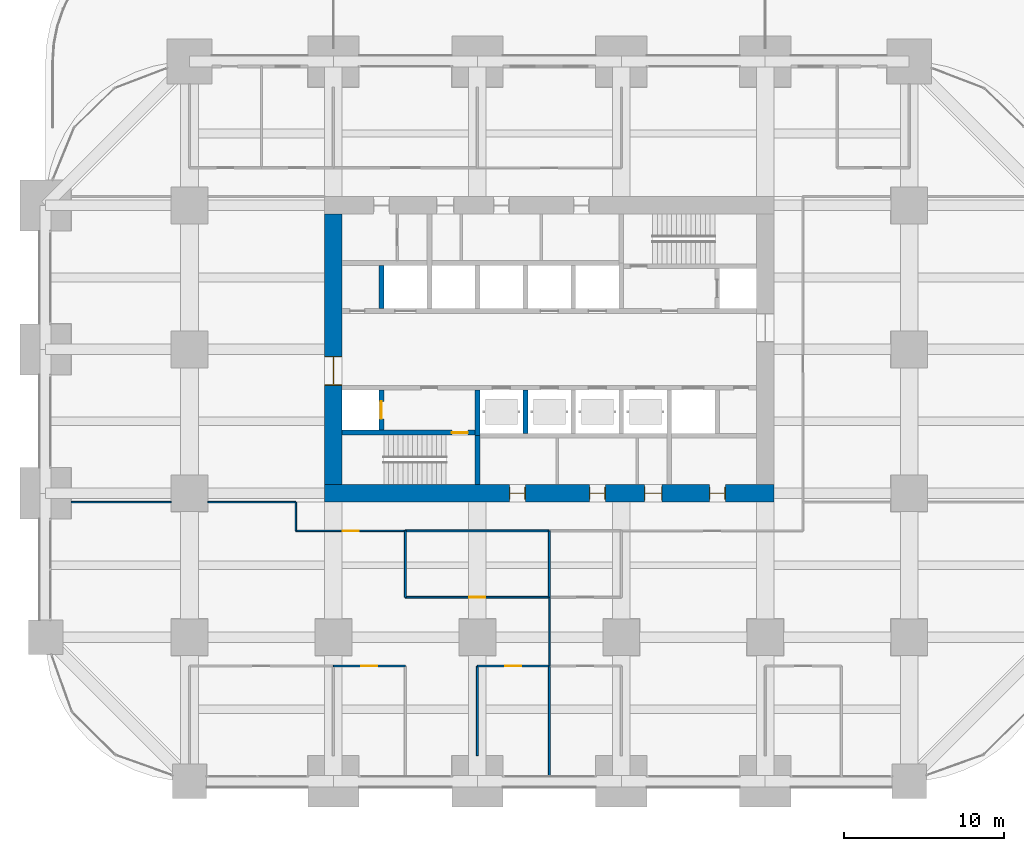
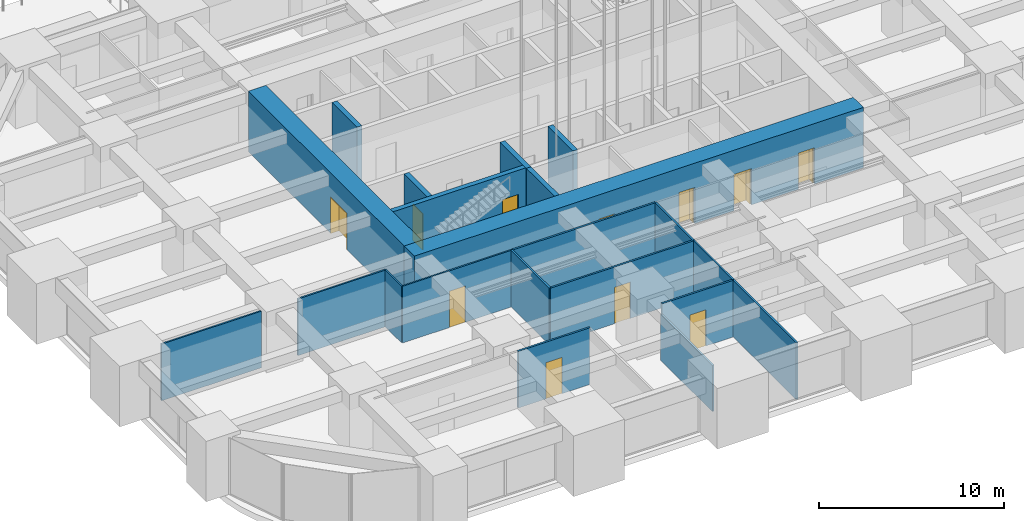
# One storey, part 36 of 50: 21 walls, 11 doors, 11 openings.
"""IFC4 building model written with IfcOpenShell, lengths in metres."""

from ifc_helpers import new_model, si_unit, direction, frame, frame_2d, origin, place, context, subcontext, project, spatial, rectangle, extrude, material, layer, layer_set, type_object, element, fill, save


model = new_model("IFC4")

# Units and contexts
model_context = context("Model", 3, precision=1e-05, world=origin(), true_north=direction((0.0, 1.0)))
body_context = subcontext(model_context, "Body", "Model", "MODEL_VIEW")
ifc_project = project(units=[si_unit("LENGTHUNIT", "METRE"), si_unit("AREAUNIT", "SQUARE_METRE"), si_unit("VOLUMEUNIT", "CUBIC_METRE"), si_unit("PLANEANGLEUNIT", "RADIAN"), si_unit("MASSUNIT", "GRAM", prefix="KILO")], contexts=[model_context])

# Site, building, storey
site_placement = place(None, origin())
site = spatial("IfcSite", under=ifc_project, at=site_placement, CompositionType="ELEMENT")
building_placement = place(site_placement, origin())
building = spatial("IfcBuilding", under=site, at=building_placement, Name="Zorevar Civic Tower", CompositionType="ELEMENT")
storey_placement = place(building_placement, frame((0.0, 0.0, 85.0)))
storey = spatial("IfcBuildingStorey", under=building, at=storey_placement, Name="L20", CompositionType="ELEMENT", Elevation=85.0)

# Wall, openings, doors
ifc_material_1 = material(Name="Concrete C50/60", Category="concrete")
ifc_layer_1 = layer(ifc_material_1, 1.10009765625)
ifc_layer_set_1 = layer_set([ifc_layer_1], Name="Core wall 1100")
wall_type_1 = type_object("IfcWallType", Name="Core wall 1100", PredefinedType="SHEAR", material=ifc_layer_set_1)
wall_1_placement = place(storey_placement, frame((17.449951171875, 18.0, 0.0), z_axis=(0.0, 0.0, 1.0), x_axis=(1.0, 0.0, 0.0)))
wall_1 = element("IfcWall", 1, at=wall_1_placement, inside=storey, type_object=wall_type_1, Name="Core wall S L20", PredefinedType="SHEAR", context=body_context, shape_type="SweptSolid", body=[
    extrude(rectangle(XDim=28.10009765625, YDim=1.10009765625, at=frame_2d((14.050048828125, 0.0))), origin(), (0.0, 0.0, 1.0), 4.0),
])
opening_1_placement = place(wall_1_placement, frame((11.550048828125, 0.0, 0.0)))
opening_1 = element("IfcOpeningElement", 2, at=opening_1_placement, cuts=wall_1, Name="Opening L20.03", PredefinedType="OPENING", context=body_context, shape_type="SweptSolid", body=[
    extrude(rectangle(XDim=1.0, YDim=2.39990234375, at=frame_2d((0.5, 1.199951171875))), frame((0.0, 0.56005859375, 0.0), z_axis=(0.0, -1.0, 0.0), x_axis=(1.0, 0.0, 0.0)), (0.0, 0.0, 1.0), 1.1201171875),
])
opening_2_placement = place(wall_1_placement, frame((16.550048828125, 0.0, 0.0)))
opening_2 = element("IfcOpeningElement", 3, at=opening_2_placement, cuts=wall_1, Name="Opening L20.04", PredefinedType="OPENING", context=body_context, shape_type="SweptSolid", body=[
    extrude(rectangle(XDim=1.0, YDim=2.39990234375, at=frame_2d((0.5, 1.199951171875))), frame((0.0, 0.56005859375, 0.0), z_axis=(0.0, -1.0, 0.0), x_axis=(1.0, 0.0, 0.0)), (0.0, 0.0, 1.0), 1.1201171875),
])
opening_3_placement = place(wall_1_placement, frame((20.0, 0.0, 0.0)))
opening_3 = element("IfcOpeningElement", 4, at=opening_3_placement, cuts=wall_1, Name="Opening L20.05", PredefinedType="OPENING", context=body_context, shape_type="SweptSolid", body=[
    extrude(rectangle(XDim=1.10009765625, YDim=2.39990234375, at=frame_2d((0.550048828125, 1.199951171875))), frame((0.0, 0.56005859375, 0.0), z_axis=(0.0, -1.0, 0.0), x_axis=(1.0, 0.0, 0.0)), (0.0, 0.0, 1.0), 1.1201171875),
])
opening_4_placement = place(wall_1_placement, frame((24.050048828125, 0.0, 0.0)))
opening_4 = element("IfcOpeningElement", 5, at=opening_4_placement, cuts=wall_1, Name="Opening L20.06", PredefinedType="OPENING", context=body_context, shape_type="SweptSolid", body=[
    extrude(rectangle(XDim=1.0, YDim=2.39990234375, at=frame_2d((0.5, 1.199951171875))), frame((0.0, 0.56005859375, 0.0), z_axis=(0.0, -1.0, 0.0), x_axis=(1.0, 0.0, 0.0)), (0.0, 0.0, 1.0), 1.1201171875),
])
ifc_material_2 = material(Name="Timber door set", Category="wood")
door_type_1 = type_object("IfcDoorType", Name="Door D1 1000x2400", OperationType="SINGLE_SWING_LEFT", PredefinedType="DOOR", material=ifc_material_2)
door_1_placement = place(opening_1_placement, origin())
door_1 = element("IfcDoor", 6, at=door_1_placement, inside=storey, type_object=door_type_1, Name="Door L20 02", OperationType="SINGLE_SWING_RIGHT", OverallHeight=2.39990234375, OverallWidth=1.0, PredefinedType="DOOR", context=body_context, shape_type="SweptSolid", body=[
    extrude(rectangle(XDim=1.0, YDim=2.39990234375, at=frame_2d((0.5, 1.199951171875))), frame((0.0, 0.02490234375, 0.0), z_axis=(0.0, -1.0, 0.0), x_axis=(1.0, 0.0, 0.0)), (0.0, 0.0, 1.0), 0.050048828125),
    extrude(rectangle(XDim=0.04, YDim=2.39990234375, at=frame_2d((0.02001953125, 1.199951171875))), frame((0.0, 0.39990234375, 0.0), z_axis=(0.0, -1.0, 0.0), x_axis=(1.0, 0.0, 0.0)), (0.0, 0.0, 1.0), 0.800048828125),
    extrude(rectangle(XDim=0.04, YDim=2.39990234375, at=frame_2d((0.97998046875, 1.199951171875))), frame((0.0, 0.39990234375, 0.0), z_axis=(0.0, -1.0, 0.0), x_axis=(1.0, 0.0, 0.0)), (0.0, 0.0, 1.0), 0.800048828125),
    extrude(rectangle(XDim=1.0, YDim=0.04, at=frame_2d((0.5, 2.3798828125))), frame((0.0, 0.39990234375, 0.0), z_axis=(0.0, -1.0, 0.0), x_axis=(1.0, 0.0, 0.0)), (0.0, 0.0, 1.0), 0.800048828125),
])
fill(opening_1, door_1)
door_2_placement = place(opening_2_placement, origin())
door_2 = element("IfcDoor", 7, at=door_2_placement, inside=storey, type_object=door_type_1, Name="Door L20 03", OperationType="SINGLE_SWING_LEFT", OverallHeight=2.39990234375, OverallWidth=1.0, PredefinedType="DOOR", context=body_context, shape_type="SweptSolid", body=[
    extrude(rectangle(XDim=1.0, YDim=2.39990234375, at=frame_2d((0.5, 1.199951171875))), frame((0.0, 0.02490234375, 0.0), z_axis=(0.0, -1.0, 0.0), x_axis=(1.0, 0.0, 0.0)), (0.0, 0.0, 1.0), 0.050048828125),
    extrude(rectangle(XDim=0.04, YDim=2.39990234375, at=frame_2d((0.02001953125, 1.199951171875))), frame((0.0, 0.39990234375, 0.0), z_axis=(0.0, -1.0, 0.0), x_axis=(1.0, 0.0, 0.0)), (0.0, 0.0, 1.0), 0.800048828125),
    extrude(rectangle(XDim=0.04, YDim=2.39990234375, at=frame_2d((0.97998046875, 1.199951171875))), frame((0.0, 0.39990234375, 0.0), z_axis=(0.0, -1.0, 0.0), x_axis=(1.0, 0.0, 0.0)), (0.0, 0.0, 1.0), 0.800048828125),
    extrude(rectangle(XDim=1.0, YDim=0.04, at=frame_2d((0.5, 2.3798828125))), frame((0.0, 0.39990234375, 0.0), z_axis=(0.0, -1.0, 0.0), x_axis=(1.0, 0.0, 0.0)), (0.0, 0.0, 1.0), 0.800048828125),
])
fill(opening_2, door_2)
door_3_placement = place(opening_4_placement, origin())
door_3 = element("IfcDoor", 8, at=door_3_placement, inside=storey, type_object=door_type_1, Name="Door L20 05", OperationType="SINGLE_SWING_LEFT", OverallHeight=2.39990234375, OverallWidth=1.0, PredefinedType="DOOR", context=body_context, shape_type="SweptSolid", body=[
    extrude(rectangle(XDim=1.0, YDim=2.39990234375, at=frame_2d((0.5, 1.199951171875))), frame((0.0, 0.02490234375, 0.0), z_axis=(0.0, -1.0, 0.0), x_axis=(1.0, 0.0, 0.0)), (0.0, 0.0, 1.0), 0.050048828125),
    extrude(rectangle(XDim=0.04, YDim=2.39990234375, at=frame_2d((0.02001953125, 1.199951171875))), frame((0.0, 0.39990234375, 0.0), z_axis=(0.0, -1.0, 0.0), x_axis=(1.0, 0.0, 0.0)), (0.0, 0.0, 1.0), 0.800048828125),
    extrude(rectangle(XDim=0.04, YDim=2.39990234375, at=frame_2d((0.97998046875, 1.199951171875))), frame((0.0, 0.39990234375, 0.0), z_axis=(0.0, -1.0, 0.0), x_axis=(1.0, 0.0, 0.0)), (0.0, 0.0, 1.0), 0.800048828125),
    extrude(rectangle(XDim=1.0, YDim=0.04, at=frame_2d((0.5, 2.3798828125))), frame((0.0, 0.39990234375, 0.0), z_axis=(0.0, -1.0, 0.0), x_axis=(1.0, 0.0, 0.0)), (0.0, 0.0, 1.0), 0.800048828125),
])
fill(opening_4, door_3)
ifc_material_3 = material(Name="Timber door set", Category="wood")
door_type_2 = type_object("IfcDoorType", Name="Door D5 1100x2400", OperationType="SINGLE_SWING_LEFT", PredefinedType="DOOR", material=ifc_material_3)
door_4_placement = place(opening_3_placement, origin())
door_4 = element("IfcDoor", 9, at=door_4_placement, inside=storey, type_object=door_type_2, Name="Door L20 04", OperationType="SINGLE_SWING_LEFT", OverallHeight=2.39990234375, OverallWidth=1.10009765625, PredefinedType="DOOR", context=body_context, shape_type="SweptSolid", body=[
    extrude(rectangle(XDim=1.10009765625, YDim=2.39990234375, at=frame_2d((0.550048828125, 1.199951171875))), frame((0.0, 0.02490234375, 0.0), z_axis=(0.0, -1.0, 0.0), x_axis=(1.0, 0.0, 0.0)), (0.0, 0.0, 1.0), 0.050048828125),
    extrude(rectangle(XDim=0.04, YDim=2.39990234375, at=frame_2d((0.02001953125, 1.199951171875))), frame((0.0, 0.43994140625, 0.0), z_axis=(0.0, -1.0, 0.0), x_axis=(1.0, 0.0, 0.0)), (0.0, 0.0, 1.0), 0.880126953125),
    extrude(rectangle(XDim=0.04, YDim=2.39990234375, at=frame_2d((1.080078125, 1.199951171875))), frame((0.0, 0.43994140625, 0.0), z_axis=(0.0, -1.0, 0.0), x_axis=(1.0, 0.0, 0.0)), (0.0, 0.0, 1.0), 0.880126953125),
    extrude(rectangle(XDim=1.10009765625, YDim=0.04, at=frame_2d((0.550048828125, 2.3798828125))), frame((0.0, 0.43994140625, 0.0), z_axis=(0.0, -1.0, 0.0), x_axis=(1.0, 0.0, 0.0)), (0.0, 0.0, 1.0), 0.880126953125),
])
fill(opening_3, door_4)

# Wall, opening, door
wall_2_placement = place(storey_placement, frame((18.0, 35.449951171875, 0.0), z_axis=(0.0, 0.0, 1.0), x_axis=(0.0, -1.0, 0.0)))
wall_2 = element("IfcWall", 10, at=wall_2_placement, inside=storey, type_object=wall_type_1, Name="Core wall W L20", PredefinedType="SHEAR", context=body_context, shape_type="SweptSolid", body=[
    extrude(rectangle(XDim=16.89990234375, YDim=1.10009765625, at=frame_2d((8.449951171875, 0.0))), origin(), (0.0, 0.0, 1.0), 4.0),
])
opening_5_placement = place(wall_2_placement, frame((8.89990234375, 0.0, 0.0)))
opening_5 = element("IfcOpeningElement", 11, at=opening_5_placement, cuts=wall_2, Name="Opening L20.01", PredefinedType="OPENING", context=body_context, shape_type="SweptSolid", body=[
    extrude(rectangle(XDim=1.800048828125, YDim=2.39990234375, at=frame_2d((0.89990234375, 1.199951171875))), frame((0.0, 0.56005859375, 0.0), z_axis=(0.0, -1.0, 0.0), x_axis=(1.0, 0.0, 0.0)), (0.0, 0.0, 1.0), 1.1201171875),
])
ifc_material_4 = material(Name="Steel door set", Category="steel")
door_type_3 = type_object("IfcDoorType", Name="Fire door FD2 1800x2400", OperationType="DOUBLE_DOOR_DOUBLE_SWING", PredefinedType="DOOR", material=ifc_material_4)
door_5_placement = place(opening_5_placement, origin())
door_5 = element("IfcDoor", 12, at=door_5_placement, inside=storey, type_object=door_type_3, Name="Door L20 00", OperationType="DOUBLE_DOOR_DOUBLE_SWING", OverallHeight=2.39990234375, OverallWidth=1.800048828125, PredefinedType="DOOR", context=body_context, shape_type="SweptSolid", body=[
    extrude(rectangle(XDim=1.800048828125, YDim=2.39990234375, at=frame_2d((0.89990234375, 1.199951171875))), frame((0.0, 0.030029296875, 0.0), z_axis=(0.0, -1.0, 0.0), x_axis=(1.0, 0.0, 0.0)), (0.0, 0.0, 1.0), 0.06005859375),
    extrude(rectangle(XDim=0.04, YDim=2.39990234375, at=frame_2d((0.02001953125, 1.199951171875))), frame((0.0, 0.5498046875, 0.0), z_axis=(0.0, -1.0, 0.0), x_axis=(1.0, 0.0, 0.0)), (0.0, 0.0, 1.0), 1.099609375),
    extrude(rectangle(XDim=0.04, YDim=2.39990234375, at=frame_2d((1.780029296875, 1.199951171875))), frame((0.0, 0.5498046875, 0.0), z_axis=(0.0, -1.0, 0.0), x_axis=(1.0, 0.0, 0.0)), (0.0, 0.0, 1.0), 1.099609375),
    extrude(rectangle(XDim=1.800048828125, YDim=0.04, at=frame_2d((0.89990234375, 2.3798828125))), frame((0.0, 0.5498046875, 0.0), z_axis=(0.0, -1.0, 0.0), x_axis=(1.0, 0.0, 0.0)), (0.0, 0.0, 1.0), 1.099609375),
])
fill(opening_5, door_5)

ifc_material_5 = material(Name="Laminated glass in black aluminium frame", Category="aluminium")
ifc_layer_2 = layer(ifc_material_5, 0.10009765625)
ifc_layer_set_2 = layer_set([ifc_layer_2], Name="Glazed partition 100")
wall_type_2 = type_object("IfcWallType", Name="Glazed partition 100", PredefinedType="PARTITIONING", material=ifc_layer_set_2)
wall_3_placement = place(storey_placement, frame((15.64990234375, 15.64990234375, 0.0), z_axis=(0.0, 0.0, 1.0), x_axis=(1.0, 0.0, 0.0)))
wall_3 = element("IfcWall", 13, at=wall_3_placement, inside=storey, type_object=wall_type_2, Name="Glazed partition 100 L20", PredefinedType="PARTITIONING", context=body_context, shape_type="SweptSolid", body=[
    extrude(rectangle(XDim=6.85009765625, YDim=0.10009765625, at=frame_2d((3.425048828125, 0.0))), origin(), (0.0, 0.0, 1.0), 3.75),
])
opening_6_placement = place(wall_3_placement, frame((2.925048828125, 0.0, 0.0)))
opening_6 = element("IfcOpeningElement", 14, at=opening_6_placement, cuts=wall_3, Name="Opening L20.24", PredefinedType="OPENING", context=body_context, shape_type="SweptSolid", body=[
    extrude(rectangle(XDim=1.0, YDim=2.39990234375, at=frame_2d((0.5, 1.199951171875))), frame((0.0, 0.06005859375, 0.0), z_axis=(0.0, -1.0, 0.0), x_axis=(1.0, 0.0, 0.0)), (0.0, 0.0, 1.0), 0.1201171875),
])
ifc_material_6 = material(Name="Timber door set", Category="wood")
door_type_4 = type_object("IfcDoorType", Name="Glazed door GD1 1000x2400", OperationType="SINGLE_SWING_LEFT", PredefinedType="DOOR", material=ifc_material_6)
door_6_placement = place(opening_6_placement, origin())
door_6 = element("IfcDoor", 15, at=door_6_placement, inside=storey, type_object=door_type_4, Name="Door L20 D1", OperationType="SINGLE_SWING_RIGHT", OverallHeight=2.39990234375, OverallWidth=1.0, PredefinedType="DOOR", context=body_context, shape_type="SweptSolid", body=[
    extrude(rectangle(XDim=1.0, YDim=2.39990234375, at=frame_2d((0.5, 1.199951171875))), frame((0.0, 0.02001953125, 0.0), z_axis=(0.0, -1.0, 0.0), x_axis=(1.0, 0.0, 0.0)), (0.0, 0.0, 1.0), 0.0400390625),
])
fill(opening_6, door_6)

# Walls
wall_4_placement = place(storey_placement, frame((1.60009765625, 17.449951171875, 0.0), z_axis=(0.0, 0.0, 1.0), x_axis=(1.0, 0.0, 0.0)))
element("IfcWall", 16, at=wall_4_placement, inside=storey, type_object=wall_type_2, Name="Glazed partition 100 L20", PredefinedType="PARTITIONING", context=body_context, shape_type="SweptSolid", body=[
    extrude(rectangle(XDim=6.25, YDim=0.10009765625, at=frame_2d((3.125, 0.0))), origin(), (0.0, 0.0, 1.0), 3.75),
])
wall_5_placement = place(storey_placement, frame((10.14990234375, 17.449951171875, 0.0), z_axis=(0.0, 0.0, 1.0), x_axis=(1.0, 0.0, 0.0)))
element("IfcWall", 17, at=wall_5_placement, inside=storey, type_object=wall_type_2, Name="Glazed partition 100 L20", PredefinedType="PARTITIONING", context=body_context, shape_type="SweptSolid", body=[
    extrude(rectangle(XDim=5.5, YDim=0.10009765625, at=frame_2d((2.75, 0.0))), origin(), (0.0, 0.0, 1.0), 3.75),
])
wall_6_placement = place(storey_placement, frame((15.64990234375, 15.64990234375, 0.0), z_axis=(0.0, 0.0, 1.0), x_axis=(0.0, 1.0, 0.0)))
element("IfcWall", 18, at=wall_6_placement, inside=storey, type_object=wall_type_2, Name="Glazed partition 100 L20", PredefinedType="PARTITIONING", context=body_context, shape_type="SweptSolid", body=[
    extrude(rectangle(XDim=1.800048828125, YDim=0.10009765625, at=frame_2d((0.89990234375, 0.0))), origin(), (0.0, 0.0, 1.0), 3.75),
])
wall_7_placement = place(storey_placement, frame((31.5, 7.199951171875, 0.0), z_axis=(0.0, 0.0, 1.0), x_axis=(0.0, 1.0, 0.0)))
element("IfcWall", 19, at=wall_7_placement, inside=storey, type_object=wall_type_2, Name="Glazed partition 100 L20", PredefinedType="PARTITIONING", context=body_context, shape_type="SweptSolid", body=[
    extrude(rectangle(XDim=4.300048828125, YDim=0.10009765625, at=frame_2d((2.14990234375, 0.0))), origin(), (0.0, 0.0, 1.0), 3.75),
])

# Wall, opening, door
ifc_material_7 = material(Name="Concrete C40/50", Category="concrete")
ifc_layer_3 = layer(ifc_material_7, 0.300048828125)
ifc_layer_set_3 = layer_set([ifc_layer_3], Name="Inner core wall 300")
wall_type_3 = type_object("IfcWallType", Name="Inner core wall 300", PredefinedType="SHEAR", material=ifc_layer_set_3)
wall_8_placement = place(storey_placement, frame((18.550048828125, 21.800048828125, 0.0), z_axis=(0.0, 0.0, 1.0), x_axis=(1.0, 0.0, 0.0)))
wall_8 = element("IfcWall", 20, at=wall_8_placement, inside=storey, type_object=wall_type_3, Name="Inner core wall S00 L20", PredefinedType="SHEAR", context=body_context, shape_type="SweptSolid", body=[
    extrude(rectangle(XDim=8.300048828125, YDim=0.300048828125, at=frame_2d((4.14990234375, 0.0))), origin(), (0.0, 0.0, 1.0), 4.0),
])
opening_7_placement = place(wall_8_placement, frame((6.85009765625, 0.0, 0.0)))
opening_7 = element("IfcOpeningElement", 21, at=opening_7_placement, cuts=wall_8, Name="Opening L20.11", PredefinedType="OPENING", context=body_context, shape_type="SweptSolid", body=[
    extrude(rectangle(XDim=1.0, YDim=2.39990234375, at=frame_2d((0.5, 1.199951171875))), frame((0.0, 0.159912109375, 0.0), z_axis=(0.0, -1.0, 0.0), x_axis=(1.0, 0.0, 0.0)), (0.0, 0.0, 1.0), 0.320068359375),
])
ifc_material_8 = material(Name="Steel door set", Category="steel")
door_type_5 = type_object("IfcDoorType", Name="Fire door FD1 1000x2400", OperationType="SINGLE_SWING_LEFT", PredefinedType="DOOR", material=ifc_material_8)
door_7_placement = place(opening_7_placement, origin())
door_7 = element("IfcDoor", 22, at=door_7_placement, inside=storey, type_object=door_type_5, Name="Door L20 10", OperationType="SINGLE_SWING_RIGHT", OverallHeight=2.39990234375, OverallWidth=1.0, PredefinedType="DOOR", context=body_context, shape_type="SweptSolid", body=[
    extrude(rectangle(XDim=1.0, YDim=2.39990234375, at=frame_2d((0.5, 1.199951171875))), frame((0.0, 0.030029296875, 0.0), z_axis=(0.0, -1.0, 0.0), x_axis=(1.0, 0.0, 0.0)), (0.0, 0.0, 1.0), 0.06005859375),
])
fill(opening_7, door_7)

# Wall
wall_9_placement = place(storey_placement, frame((27.0, 18.550048828125, 0.0), z_axis=(0.0, 0.0, 1.0), x_axis=(0.0, 1.0, 0.0)))
element("IfcWall", 23, at=wall_9_placement, inside=storey, type_object=wall_type_3, Name="Inner core wall S01 L20", PredefinedType="SHEAR", context=body_context, shape_type="SweptSolid", body=[
    extrude(rectangle(XDim=3.050048828125, YDim=0.300048828125, at=frame_2d((1.52490234375, 0.0))), origin(), (0.0, 0.0, 1.0), 4.0),
])

# Wall, opening, door
wall_10_placement = place(storey_placement, frame((21.0, 21.949951171875, 0.0), z_axis=(0.0, 0.0, 1.0), x_axis=(0.0, 1.0, 0.0)))
wall_10 = element("IfcWall", 24, at=wall_10_placement, inside=storey, type_object=wall_type_3, Name="Inner core wall S02 L20", PredefinedType="SHEAR", context=body_context, shape_type="SweptSolid", body=[
    extrude(rectangle(XDim=2.5, YDim=0.300048828125, at=frame_2d((1.25, 0.0))), origin(), (0.0, 0.0, 1.0), 4.0),
])
opening_8_placement = place(wall_10_placement, frame((0.699951171875, 0.0, 0.0)))
opening_8 = element("IfcOpeningElement", 25, at=opening_8_placement, cuts=wall_10, Name="Opening L20.FL1", PredefinedType="OPENING", context=body_context, shape_type="SweptSolid", body=[
    extrude(rectangle(XDim=1.10009765625, YDim=2.39990234375, at=frame_2d((0.550048828125, 1.199951171875))), frame((0.0, 0.159912109375, 0.0), z_axis=(0.0, -1.0, 0.0), x_axis=(1.0, 0.0, 0.0)), (0.0, 0.0, 1.0), 0.320068359375),
])
ifc_material_9 = material(Name="Steel door set", Category="steel")
door_type_6 = type_object("IfcDoorType", Name="Firefighting lift landing door LD3 1100x2400", OperationType="DOUBLE_DOOR_SLIDING", PredefinedType="DOOR", material=ifc_material_9)
door_8_placement = place(opening_8_placement, origin())
door_8 = element("IfcDoor", 26, at=door_8_placement, inside=storey, type_object=door_type_6, Name="Landing door FL1 L20", OperationType="DOUBLE_DOOR_SLIDING", OverallHeight=2.39990234375, OverallWidth=1.10009765625, PredefinedType="DOOR", context=body_context, shape_type="SweptSolid", body=[
    extrude(rectangle(XDim=1.10009765625, YDim=2.39990234375, at=frame_2d((0.550048828125, 1.199951171875))), frame((0.0, 0.030029296875, 0.0), z_axis=(0.0, -1.0, 0.0), x_axis=(1.0, 0.0, 0.0)), (0.0, 0.0, 1.0), 0.06005859375),
])
fill(opening_8, door_8)

# Walls
for number, where, z_axis, x_axis, name in (
    (27, (30.0, 21.75, 0.0), (0.0, 0.0, 1.0), (0.0, 1.0, 0.0), "Inner core wall S05 L20"),
    (28, (21.0, 29.550048828125, 0.0), (0.0, 0.0, 1.0), (0.0, 1.0, 0.0), "Inner core wall N09 L20"),
):
    element("IfcWall", number, at=place(storey_placement, frame(where, z_axis=z_axis, x_axis=x_axis)), inside=storey, type_object=wall_type_3, Name=name, PredefinedType="SHEAR", context=body_context, shape_type="SweptSolid", body=[
        extrude(rectangle(XDim=2.699951171875, YDim=0.300048828125, at=frame_2d((1.35009765625, 0.0))), origin(), (0.0, 0.0, 1.0), 4.0),
    ])
wall_11_placement = place(storey_placement, frame((27.0, 21.60009765625, 0.0), z_axis=(0.0, 0.0, 1.0), x_axis=(0.0, 1.0, 0.0)))
element("IfcWall", 29, at=wall_11_placement, inside=storey, type_object=wall_type_3, Name="Inner core wall S10 L20", PredefinedType="SHEAR", context=body_context, shape_type="SweptSolid", body=[
    extrude(rectangle(XDim=2.849853515625, YDim=0.300048828125, at=frame_2d((1.4248046875, 0.0))), origin(), (0.0, 0.0, 1.0), 4.0),
])

# Wall, opening, door
ifc_material_10 = material(Name="Gypsum board on steel studs", Category="steel")
ifc_layer_4 = layer(ifc_material_10, 0.1201171875)
ifc_layer_set_4 = layer_set([ifc_layer_4], Name="Partition 120")
wall_type_4 = type_object("IfcWallType", Name="Partition 120", PredefinedType="PARTITIONING", material=ifc_layer_set_4)
wall_12_placement = place(storey_placement, frame((18.0, 7.199951171875, 0.0), z_axis=(0.0, 0.0, 1.0), x_axis=(1.0, 0.0, 0.0)))
wall_12 = element("IfcWall", 30, at=wall_12_placement, inside=storey, type_object=wall_type_4, Name="Partition 120 L20", PredefinedType="PARTITIONING", context=body_context, shape_type="SweptSolid", body=[
    extrude(rectangle(XDim=4.5, YDim=0.1201171875, at=frame_2d((2.25, 0.0))), origin(), (0.0, 0.0, 1.0), 3.75),
])
opening_9_placement = place(wall_12_placement, frame((1.75, 0.0, 0.0)))
opening_9 = element("IfcOpeningElement", 31, at=opening_9_placement, cuts=wall_12, Name="Opening L20.18", PredefinedType="OPENING", context=body_context, shape_type="SweptSolid", body=[
    extrude(rectangle(XDim=1.0, YDim=2.39990234375, at=frame_2d((0.5, 1.199951171875))), frame((0.0, 0.070068359375, 0.0), z_axis=(0.0, -1.0, 0.0), x_axis=(1.0, 0.0, 0.0)), (0.0, 0.0, 1.0), 0.14013671875),
])
door_9_placement = place(opening_9_placement, origin())
door_9 = element("IfcDoor", 32, at=door_9_placement, inside=storey, type_object=door_type_1, Name="Door L20 D1", OperationType="SINGLE_SWING_LEFT", OverallHeight=2.39990234375, OverallWidth=1.0, PredefinedType="DOOR", context=body_context, shape_type="SweptSolid", body=[
    extrude(rectangle(XDim=1.0, YDim=2.39990234375, at=frame_2d((0.5, 1.199951171875))), frame((0.0, 0.02490234375, 0.0), z_axis=(0.0, -1.0, 0.0), x_axis=(1.0, 0.0, 0.0)), (0.0, 0.0, 1.0), 0.050048828125),
])
fill(opening_9, door_9)

wall_13_placement = place(storey_placement, frame((27.0, 7.199951171875, 0.0), z_axis=(0.0, 0.0, 1.0), x_axis=(1.0, 0.0, 0.0)))
wall_13 = element("IfcWall", 33, at=wall_13_placement, inside=storey, type_object=wall_type_4, Name="Partition 120 L20", PredefinedType="PARTITIONING", context=body_context, shape_type="SweptSolid", body=[
    extrude(rectangle(XDim=4.5, YDim=0.1201171875, at=frame_2d((2.25, 0.0))), origin(), (0.0, 0.0, 1.0), 3.75),
])
opening_10_placement = place(wall_13_placement, frame((1.75, 0.0, 0.0)))
opening_10 = element("IfcOpeningElement", 34, at=opening_10_placement, cuts=wall_13, Name="Opening L20.19", PredefinedType="OPENING", context=body_context, shape_type="SweptSolid", body=[
    extrude(rectangle(XDim=1.0, YDim=2.39990234375, at=frame_2d((0.5, 1.199951171875))), frame((0.0, 0.070068359375, 0.0), z_axis=(0.0, -1.0, 0.0), x_axis=(1.0, 0.0, 0.0)), (0.0, 0.0, 1.0), 0.14013671875),
])
door_10_placement = place(opening_10_placement, origin())
door_10 = element("IfcDoor", 35, at=door_10_placement, inside=storey, type_object=door_type_1, Name="Door L20 D1", OperationType="SINGLE_SWING_RIGHT", OverallHeight=2.39990234375, OverallWidth=1.0, PredefinedType="DOOR", context=body_context, shape_type="SweptSolid", body=[
    extrude(rectangle(XDim=1.0, YDim=2.39990234375, at=frame_2d((0.5, 1.199951171875))), frame((0.0, 0.02490234375, 0.0), z_axis=(0.0, -1.0, 0.0), x_axis=(1.0, 0.0, 0.0)), (0.0, 0.0, 1.0), 0.050048828125),
])
fill(opening_10, door_10)

wall_14_placement = place(storey_placement, frame((22.5, 11.5, 0.0), z_axis=(0.0, 0.0, 1.0), x_axis=(1.0, 0.0, 0.0)))
wall_14 = element("IfcWall", 36, at=wall_14_placement, inside=storey, type_object=wall_type_4, Name="Partition 120 L20", PredefinedType="PARTITIONING", context=body_context, shape_type="SweptSolid", body=[
    extrude(rectangle(XDim=9.0, YDim=0.1201171875, at=frame_2d((4.5, 0.0))), origin(), (0.0, 0.0, 1.0), 3.75),
])
opening_11_placement = place(wall_14_placement, frame((4.0, 0.0, 0.0)))
opening_11 = element("IfcOpeningElement", 37, at=opening_11_placement, cuts=wall_14, Name="Opening L20.22", PredefinedType="OPENING", context=body_context, shape_type="SweptSolid", body=[
    extrude(rectangle(XDim=1.0, YDim=2.39990234375, at=frame_2d((0.5, 1.199951171875))), frame((0.0, 0.070068359375, 0.0), z_axis=(0.0, -1.0, 0.0), x_axis=(1.0, 0.0, 0.0)), (0.0, 0.0, 1.0), 0.14013671875),
])
door_11_placement = place(opening_11_placement, origin())
door_11 = element("IfcDoor", 38, at=door_11_placement, inside=storey, type_object=door_type_1, Name="Door L20 D1", OperationType="SINGLE_SWING_RIGHT", OverallHeight=2.39990234375, OverallWidth=1.0, PredefinedType="DOOR", context=body_context, shape_type="SweptSolid", body=[
    extrude(rectangle(XDim=1.0, YDim=2.39990234375, at=frame_2d((0.5, 1.199951171875))), frame((0.0, 0.02490234375, 0.0), z_axis=(0.0, -1.0, 0.0), x_axis=(1.0, 0.0, 0.0)), (0.0, 0.0, 1.0), 0.050048828125),
])
fill(opening_11, door_11)

# Walls
wall_15_placement = place(storey_placement, frame((22.5, 15.64990234375, 0.0), z_axis=(0.0, 0.0, 1.0), x_axis=(1.0, 0.0, 0.0)))
element("IfcWall", 39, at=wall_15_placement, inside=storey, type_object=wall_type_4, Name="Partition 120 L20", PredefinedType="PARTITIONING", context=body_context, shape_type="SweptSolid", body=[
    extrude(rectangle(XDim=9.0, YDim=0.1201171875, at=frame_2d((4.5, 0.0))), origin(), (0.0, 0.0, 1.0), 3.75),
])
wall_16_placement = place(storey_placement, frame((22.5, 11.5, 0.0), z_axis=(0.0, 0.0, 1.0), x_axis=(0.0, 1.0, 0.0)))
element("IfcWall", 40, at=wall_16_placement, inside=storey, type_object=wall_type_4, Name="Partition 120 L20", PredefinedType="PARTITIONING", context=body_context, shape_type="SweptSolid", body=[
    extrude(rectangle(XDim=4.14990234375, YDim=0.1201171875, at=frame_2d((2.074951171875, 0.0))), origin(), (0.0, 0.0, 1.0), 3.75),
])
wall_17_placement = place(storey_placement, frame((27.0, 1.60009765625, 0.0), z_axis=(0.0, 0.0, 1.0), x_axis=(0.0, 1.0, 0.0)))
element("IfcWall", 41, at=wall_17_placement, inside=storey, type_object=wall_type_4, Name="Partition 120 L20", PredefinedType="PARTITIONING", context=body_context, shape_type="SweptSolid", body=[
    extrude(rectangle(XDim=5.599853515625, YDim=0.1201171875, at=frame_2d((2.7998046875, 0.0))), origin(), (0.0, 0.0, 1.0), 3.050048828125),
])
wall_18_placement = place(storey_placement, frame((31.5, 11.5, 0.0), z_axis=(0.0, 0.0, 1.0), x_axis=(0.0, 1.0, 0.0)))
element("IfcWall", 42, at=wall_18_placement, inside=storey, type_object=wall_type_4, Name="Partition 120 L20", PredefinedType="PARTITIONING", context=body_context, shape_type="SweptSolid", body=[
    extrude(rectangle(XDim=4.14990234375, YDim=0.1201171875, at=frame_2d((2.074951171875, 0.0))), origin(), (0.0, 0.0, 1.0), 3.75),
])
wall_19_placement = place(storey_placement, frame((31.5, 0.31005859375, 0.0), z_axis=(0.0, 0.0, 1.0), x_axis=(0.0, 1.0, 0.0)))
element("IfcWall", 43, at=wall_19_placement, inside=storey, type_object=wall_type_4, Name="Partition 120 L20", PredefinedType="PARTITIONING", context=body_context, shape_type="SweptSolid", body=[
    extrude(rectangle(XDim=6.889892578125, YDim=0.1201171875, at=frame_2d((3.44482421875, 0.0))), origin(), (0.0, 0.0, 1.0), 3.75),
])

save(model, "model.ifc")
